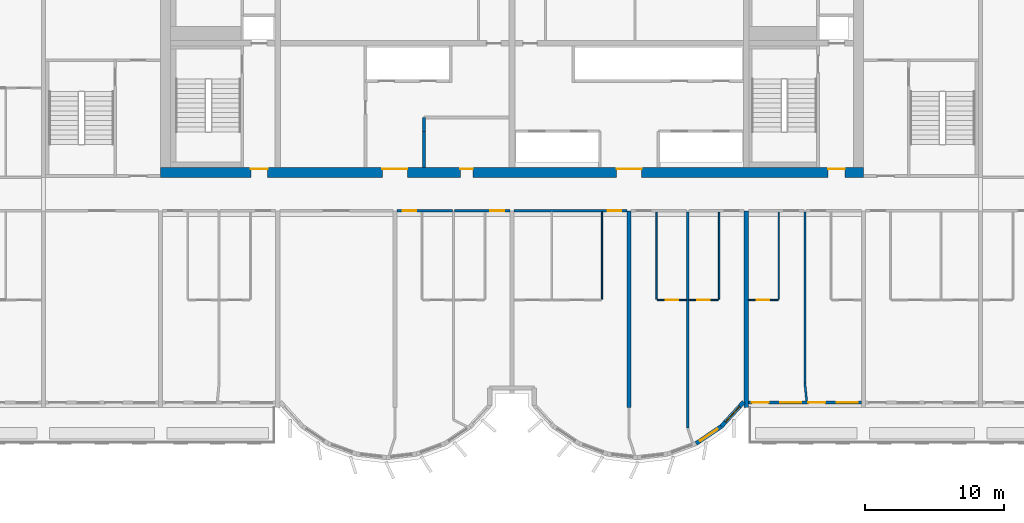
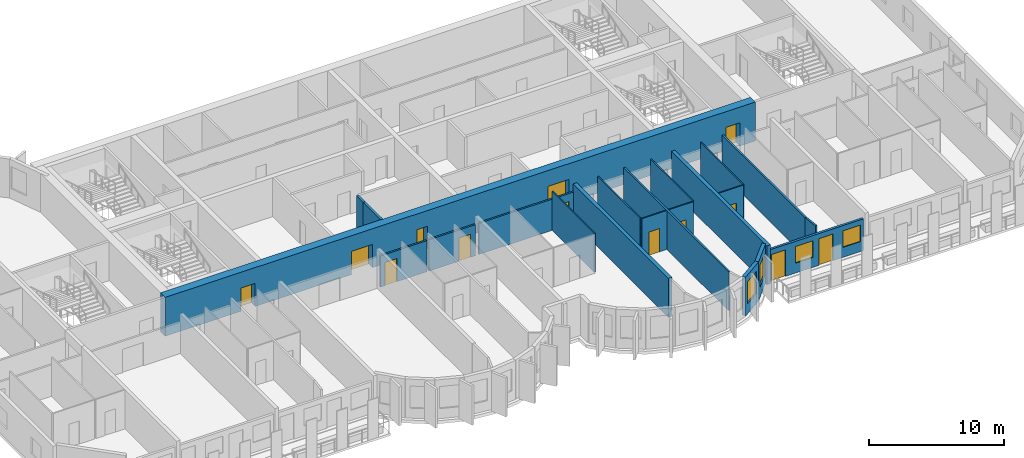
# One storey, part 5 of 13: 21 walls, 13 doors, 4 windows, 17 openings.
"""IFC4 building model written with IfcOpenShell, lengths in metres."""

from ifc_helpers import new_model, si_unit, direction, frame, frame_2d, origin, place, context, subcontext, project, spatial, rectangle, extrude, source, transform, mapped, material, layer, layer_set, type_object, element, fill, save


model = new_model("IFC4")

# Units and contexts
model_context = context("Model", 3, precision=1e-05, world=origin(), true_north=direction((0.0, 1.0)))
body_context = subcontext(model_context, "Body", "Model", "MODEL_VIEW")
ifc_project = project(units=[si_unit("LENGTHUNIT", "METRE"), si_unit("AREAUNIT", "SQUARE_METRE"), si_unit("VOLUMEUNIT", "CUBIC_METRE"), si_unit("PLANEANGLEUNIT", "RADIAN"), si_unit("MASSUNIT", "GRAM", prefix="KILO")], contexts=[model_context])

# Site, building, storey
site_placement = place(None, origin())
site = spatial("IfcSite", under=ifc_project, at=site_placement, CompositionType="ELEMENT")
building_placement = place(site_placement, origin())
building = spatial("IfcBuilding", under=site, at=building_placement, Name="Vanashikhar Sky Hotel", CompositionType="ELEMENT")
storey_placement = place(building_placement, frame((0.0, 0.0, 159.199951171875)))
storey = spatial("IfcBuildingStorey", under=building, at=storey_placement, Name="L38", CompositionType="ELEMENT", Elevation=159.199951171875)

# Wall, openings, doors
ifc_material_1 = material(Name="Concrete M60", Category="concrete")
ifc_layer_1 = layer(ifc_material_1, 0.699951171875)
ifc_layer_set_1 = layer_set([ifc_layer_1], Name="RC core shell wall 700 Concrete M60")
wall_type_1 = type_object("IfcWallType", Name="RC core shell wall 700 Concrete M60", PredefinedType="SHEAR", material=ifc_layer_set_1)
shared_shape_1 = source(origin(), body_context, "Body", "SweptSolid", [
    extrude(rectangle(XDim=50.400146484375, YDim=0.699951171875, at=frame_2d((25.2001953125, 0.0))), origin(), (0.0, 0.0, 1.0), 3.52001953125),
])
wall_1_placement = place(storey_placement, frame((25.199951171875, 22.35009765625, 0.0), z_axis=(0.0, 0.0, 1.0), x_axis=(1.0, 0.0, 0.0)))
wall_1 = element("IfcWall", 1, at=wall_1_placement, inside=storey, type_object=wall_type_1, Name="KW-L38-KS", PredefinedType="SHEAR", context=body_context, shape_type="MappedRepresentation", body=[
    mapped(shared_shape_1, transform((0.0, 0.0, 0.0), scale=1.0)),
])
shared_shape_2 = source(origin(), body_context, "Body", "SweptSolid", [
    extrude(rectangle(XDim=1.800048828125, YDim=2.10009765625, at=frame_2d((0.89990234375, 1.050048828125))), frame((0.0, 0.35986328125, 0.0), z_axis=(0.0, -1.0, 0.0), x_axis=(1.0, 0.0, 0.0)), (0.0, 0.0, 1.0), 0.719970703125),
])
opening_1_placement = place(wall_1_placement, frame((15.89990234375, 0.0, 0.0)))
opening_1 = element("IfcOpeningElement", 2, at=opening_1_placement, cuts=wall_1, Name="Opening DC-3-A", PredefinedType="OPENING", context=body_context, shape_type="MappedRepresentation", body=[
    mapped(shared_shape_2, transform((0.0, 0.0, 0.0), scale=1.0)),
])
shared_shape_3 = source(origin(), body_context, "Body", "SweptSolid", [
    extrude(rectangle(XDim=0.89990234375, YDim=2.10009765625, at=frame_2d((0.449951171875, 1.050048828125))), frame((0.0, 0.35986328125, 0.0), z_axis=(0.0, -1.0, 0.0), x_axis=(1.0, 0.0, 0.0)), (0.0, 0.0, 1.0), 0.719970703125),
])
opening_2_placement = place(wall_1_placement, frame((21.5, 0.0, 0.0)))
opening_2 = element("IfcOpeningElement", 3, at=opening_2_placement, cuts=wall_1, Name="Opening DC-4-A", PredefinedType="OPENING", context=body_context, shape_type="MappedRepresentation", body=[
    mapped(shared_shape_3, transform((0.0, 0.0, 0.0), scale=1.0)),
])
opening_3_placement = place(wall_1_placement, frame((32.699951171875, 0.0, 0.0)))
opening_3 = element("IfcOpeningElement", 4, at=opening_3_placement, cuts=wall_1, Name="Opening DC-3-A", PredefinedType="OPENING", context=body_context, shape_type="MappedRepresentation", body=[
    mapped(shared_shape_2, transform((0.0, 0.0, 0.0), scale=1.0)),
])
shared_shape_4 = source(origin(), body_context, "Body", "SweptSolid", [
    extrude(rectangle(XDim=1.199951171875, YDim=2.10009765625, at=frame_2d((0.60009765625, 1.050048828125))), frame((0.0, 0.35986328125, 0.0), z_axis=(0.0, -1.0, 0.0), x_axis=(1.0, 0.0, 0.0)), (0.0, 0.0, 1.0), 0.719970703125),
])
opening_4_placement = place(wall_1_placement, frame((6.47509765625, 0.0, 0.0)))
opening_4 = element("IfcOpeningElement", 5, at=opening_4_placement, cuts=wall_1, Name="Opening DC-2", PredefinedType="OPENING", context=body_context, shape_type="MappedRepresentation", body=[
    mapped(shared_shape_4, transform((0.0, 0.0, 0.0), scale=1.0)),
])
opening_5_placement = place(wall_1_placement, frame((47.875, 0.0, 0.0)))
opening_5 = element("IfcOpeningElement", 6, at=opening_5_placement, cuts=wall_1, Name="Opening DC-2", PredefinedType="OPENING", context=body_context, shape_type="MappedRepresentation", body=[
    mapped(shared_shape_4, transform((0.0, 0.0, 0.0), scale=1.0)),
])
ifc_material_2 = material(Name="Glass", Category="glass")
door_type_1 = type_object("IfcDoorType", Name="Lift lobby entrance door 1800 FD30S", OperationType="NOTDEFINED", PredefinedType="DOOR", material=ifc_material_2)
shared_shape_5 = source(origin(), body_context, "Body", "SweptSolid", [
    extrude(rectangle(XDim=1.800048828125, YDim=2.10009765625, at=frame_2d((0.89990234375, 1.050048828125))), frame((0.0, 0.27490234375, 0.0), z_axis=(0.0, -1.0, 0.0), x_axis=(1.0, 0.0, 0.0)), (0.0, 0.0, 1.0), 0.050048828125),
])
door_1_placement = place(opening_1_placement, origin())
door_1 = element("IfcDoor", 7, at=door_1_placement, inside=storey, type_object=door_type_1, Name="Lift lobby entrance door 1800 FD30S", OperationType="DOUBLE_DOOR_SINGLE_SWING", OverallHeight=2.10009765625, OverallWidth=1.800048828125, PredefinedType="DOOR", context=body_context, shape_type="MappedRepresentation", body=[
    mapped(shared_shape_5, transform((0.0, 0.0, 0.0), scale=1.0)),
])
fill(opening_1, door_1)
door_2_placement = place(opening_3_placement, origin())
door_2 = element("IfcDoor", 8, at=door_2_placement, inside=storey, type_object=door_type_1, Name="Lift lobby entrance door 1800 FD30S", OperationType="DOUBLE_DOOR_SINGLE_SWING", OverallHeight=2.10009765625, OverallWidth=1.800048828125, PredefinedType="DOOR", context=body_context, shape_type="MappedRepresentation", body=[
    mapped(shared_shape_5, transform((0.0, 0.0, 0.0), scale=1.0)),
])
fill(opening_3, door_2)
ifc_material_3 = material(Name="Steel", Category="steel")
door_type_2 = type_object("IfcDoorType", Name="Firefighting lobby door 1200 FD120", OperationType="NOTDEFINED", PredefinedType="DOOR", material=ifc_material_3)
shared_shape_6 = source(origin(), body_context, "Body", "SweptSolid", [
    extrude(rectangle(XDim=1.199951171875, YDim=2.10009765625, at=frame_2d((0.60009765625, 1.050048828125))), frame((0.0, 0.27490234375, 0.0), z_axis=(0.0, -1.0, 0.0), x_axis=(1.0, 0.0, 0.0)), (0.0, 0.0, 1.0), 0.050048828125),
])
door_3_placement = place(opening_4_placement, origin())
door_3 = element("IfcDoor", 9, at=door_3_placement, inside=storey, type_object=door_type_2, Name="Firefighting lobby door 1200 FD120", OperationType="SINGLE_SWING_RIGHT", OverallHeight=2.10009765625, OverallWidth=1.199951171875, PredefinedType="DOOR", context=body_context, shape_type="MappedRepresentation", body=[
    mapped(shared_shape_6, transform((0.0, 0.0, 0.0), scale=1.0)),
])
fill(opening_4, door_3)
door_4_placement = place(opening_5_placement, origin())
door_4 = element("IfcDoor", 10, at=door_4_placement, inside=storey, type_object=door_type_2, Name="Firefighting lobby door 1200 FD120", OperationType="SINGLE_SWING_RIGHT", OverallHeight=2.10009765625, OverallWidth=1.199951171875, PredefinedType="DOOR", context=body_context, shape_type="MappedRepresentation", body=[
    mapped(shared_shape_6, transform((0.0, 0.0, 0.0), scale=1.0)),
])
fill(opening_5, door_4)
door_type_3 = type_object("IfcDoorType", Name="Service door 900 FD60", OperationType="NOTDEFINED", PredefinedType="DOOR", material=ifc_material_3)
shared_shape_7 = source(origin(), body_context, "Body", "SweptSolid", [
    extrude(rectangle(XDim=0.89990234375, YDim=2.10009765625, at=frame_2d((0.449951171875, 1.050048828125))), frame((0.0, 0.27490234375, 0.0), z_axis=(0.0, -1.0, 0.0), x_axis=(1.0, 0.0, 0.0)), (0.0, 0.0, 1.0), 0.050048828125),
])
door_5_placement = place(opening_2_placement, origin())
door_5 = element("IfcDoor", 11, at=door_5_placement, inside=storey, type_object=door_type_3, Name="Service door 900 FD60", OperationType="SINGLE_SWING_RIGHT", OverallHeight=2.10009765625, OverallWidth=0.89990234375, PredefinedType="DOOR", context=body_context, shape_type="MappedRepresentation", body=[
    mapped(shared_shape_7, transform((0.0, 0.0, 0.0), scale=1.0)),
])
fill(opening_2, door_5)

# Walls
ifc_layer_2 = layer(ifc_material_1, 0.300048828125)
ifc_layer_set_2 = layer_set([ifc_layer_2], Name="RC shear wall 300 Concrete M60")
wall_type_2 = type_object("IfcWallType", Name="RC shear wall 300 Concrete M60", PredefinedType="SHEAR", material=ifc_layer_set_2)
shared_shape_8 = source(origin(), body_context, "Body", "SweptSolid", [
    extrude(rectangle(XDim=14.10009765625, YDim=0.300048828125, at=frame_2d((7.050048828125, 0.0))), origin(), (0.0, 0.0, 1.0), 3.52001953125),
])
for number, where, z_axis, x_axis, name in (
    (12, (58.800048828125, 5.5, 0.0), (0.0, 0.0, 1.0), (0.0, 1.0, 0.0), "CW-L38-XW08-1"),
    (13, (67.199951171875, 5.5, 0.0), (0.0, 0.0, 1.0), (0.0, 1.0, 0.0), "CW-L38-XW09-1"),
):
    element("IfcWall", number, at=place(storey_placement, frame(where, z_axis=z_axis, x_axis=x_axis)), inside=storey, type_object=wall_type_2, Name=name, PredefinedType="SHEAR", context=body_context, shape_type="MappedRepresentation", body=[
        mapped(shared_shape_8, transform((0.0, 0.0, 0.0), scale=1.0)),
    ])

# Wall, opening, window
ifc_material_4 = material(Name="Concrete M50", Category="concrete")
ifc_layer_3 = layer(ifc_material_4, 0.300048828125)
ifc_layer_set_3 = layer_set([ifc_layer_3], Name="Lobe wall 300")
wall_type_3 = type_object("IfcWallType", Name="Lobe wall 300", PredefinedType="SOLIDWALL", material=ifc_layer_set_3)
shared_shape_9 = source(origin(), body_context, "Body", "SweptSolid", [
    extrude(rectangle(XDim=2.398193359375, YDim=0.300048828125, at=frame_2d((1.19921875, 0.0))), origin(), (0.0, 0.0, 1.0), 3.52001953125),
])
wall_2_placement = place(storey_placement, frame((65.404296875, 4.13134765625, 0.0), z_axis=(0.0, 0.0, 1.0), x_axis=(0.675374189419, 0.737475222815, 0.0)))
wall_2 = element("IfcWall", 14, at=wall_2_placement, inside=storey, type_object=wall_type_3, Name="Lobe wall", PredefinedType="SOLIDWALL", context=body_context, shape_type="MappedRepresentation", body=[
    mapped(shared_shape_9, transform((0.0, 0.0, 0.0), scale=1.0)),
])
shared_shape_10 = source(origin(), body_context, "Body", "SweptSolid", [
    extrude(rectangle(XDim=1.5, YDim=2.0, at=frame_2d((0.75, 1.0))), frame((0.0, 0.16015625, 0.0), z_axis=(0.0, -1.0, 0.0), x_axis=(1.0, 0.0, 0.0)), (0.0, 0.0, 1.0), 0.320068359375),
])
opening_6_placement = place(wall_2_placement, frame((0.44921875, 0.0, 0.89990234375)))
opening_6 = element("IfcOpeningElement", 15, at=opening_6_placement, cuts=wall_2, Name="Opening WN-2", PredefinedType="OPENING", context=body_context, shape_type="MappedRepresentation", body=[
    mapped(shared_shape_10, transform((0.0, 0.0, 0.0), scale=1.0)),
])
window_type_1 = type_object("IfcWindowType", Name="Lobe window 1500 x 2000", PartitioningType="SINGLE_PANEL", PredefinedType="WINDOW", material=ifc_material_2)
shared_shape_11 = source(origin(), body_context, "Body", "SweptSolid", [
    extrude(rectangle(XDim=1.5, YDim=2.0, at=frame_2d((0.75, 1.0))), frame((0.0, 0.030029296875, 0.0), z_axis=(0.0, -1.0, 0.0), x_axis=(1.0, 0.0, 0.0)), (0.0, 0.0, 1.0), 0.06005859375),
])
window_1_placement = place(opening_6_placement, origin())
window_1 = element("IfcWindow", 16, at=window_1_placement, inside=storey, type_object=window_type_1, Name="Window WN-2", OverallHeight=2.0, OverallWidth=1.5, PartitioningType="SINGLE_PANEL", PredefinedType="WINDOW", context=body_context, shape_type="MappedRepresentation", body=[
    mapped(shared_shape_11, transform((0.0, 0.0, 0.0), scale=1.0)),
])
fill(opening_6, window_1)

shared_shape_12 = source(origin(), body_context, "Body", "SweptSolid", [
    extrude(rectangle(XDim=2.17578125, YDim=0.300048828125, at=frame_2d((1.087890625, 0.0))), origin(), (0.0, 0.0, 1.0), 3.52001953125),
])
wall_3_placement = place(storey_placement, frame((63.59912109375, 2.91650390625, 0.0), z_axis=(0.0, 0.0, 1.0), x_axis=(0.829625727223, 0.558319937607, 0.0)))
wall_3 = element("IfcWall", 17, at=wall_3_placement, inside=storey, type_object=wall_type_3, Name="Lobe wall", PredefinedType="SOLIDWALL", context=body_context, shape_type="MappedRepresentation", body=[
    mapped(shared_shape_12, transform((0.0, 0.0, 0.0), scale=1.0)),
])
opening_7_placement = place(wall_3_placement, frame((0.337890625, 0.0, 0.89990234375)))
opening_7 = element("IfcOpeningElement", 18, at=opening_7_placement, cuts=wall_3, Name="Opening WN-2", PredefinedType="OPENING", context=body_context, shape_type="MappedRepresentation", body=[
    mapped(shared_shape_10, transform((0.0, 0.0, 0.0), scale=1.0)),
])
window_2_placement = place(opening_7_placement, origin())
window_2 = element("IfcWindow", 19, at=window_2_placement, inside=storey, type_object=window_type_1, Name="Window WN-2", OverallHeight=2.0, OverallWidth=1.5, PartitioningType="SINGLE_PANEL", PredefinedType="WINDOW", context=body_context, shape_type="MappedRepresentation", body=[
    mapped(shared_shape_11, transform((0.0, 0.0, 0.0), scale=1.0)),
])
fill(opening_7, window_2)

# Wall, openings, windows, doors
ifc_layer_4 = layer(ifc_material_4, 0.199951171875)
ifc_layer_set_4 = layer_set([ifc_layer_4], Name="Front window wall 200")
wall_type_4 = type_object("IfcWallType", Name="Front window wall 200", PredefinedType="SOLIDWALL", material=ifc_layer_set_4)
shared_shape_13 = source(origin(), body_context, "Body", "SweptSolid", [
    extrude(rectangle(XDim=8.099853515625, YDim=0.199951171875, at=frame_2d((4.0498046875, 0.0))), origin(), (0.0, 0.0, 1.0), 2.8701171875),
])
wall_4_placement = place(storey_placement, frame((67.35009765625, 5.85009765625, 0.0), z_axis=(0.0, 0.0, 1.0), x_axis=(1.0, 0.0, 0.0)))
wall_4 = element("IfcWall", 20, at=wall_4_placement, inside=storey, type_object=wall_type_4, Name="Front window wall", PredefinedType="SOLIDWALL", context=body_context, shape_type="MappedRepresentation", body=[
    mapped(shared_shape_13, transform((0.0, 0.0, 0.0), scale=1.0)),
])
shared_shape_14 = source(origin(), body_context, "Body", "SweptSolid", [
    extrude(rectangle(XDim=1.199951171875, YDim=2.39990234375, at=frame_2d((0.60009765625, 1.199951171875))), frame((0.0, 0.10986328125, 0.0), z_axis=(0.0, -1.0, 0.0), x_axis=(1.0, 0.0, 0.0)), (0.0, 0.0, 1.0), 0.219970703125),
])
opening_8_placement = place(wall_4_placement, frame((0.25, 0.0, 0.0)))
opening_8 = element("IfcOpeningElement", 21, at=opening_8_placement, cuts=wall_4, Name="Opening BD-06", PredefinedType="OPENING", context=body_context, shape_type="MappedRepresentation", body=[
    mapped(shared_shape_14, transform((0.0, 0.0, 0.0), scale=1.0)),
])
shared_shape_15 = source(origin(), body_context, "Body", "SweptSolid", [
    extrude(rectangle(XDim=1.5, YDim=1.5, at=frame_2d((0.75, 0.75))), frame((0.0, 0.10986328125, 0.0), z_axis=(0.0, -1.0, 0.0), x_axis=(1.0, 0.0, 0.0)), (0.0, 0.0, 1.0), 0.219970703125),
])
opening_9_placement = place(wall_4_placement, frame((2.300048828125, 0.0, 0.89990234375)))
opening_9 = element("IfcOpeningElement", 22, at=opening_9_placement, cuts=wall_4, Name="Opening WN-1", PredefinedType="OPENING", context=body_context, shape_type="MappedRepresentation", body=[
    mapped(shared_shape_15, transform((0.0, 0.0, 0.0), scale=1.0)),
])
opening_10_placement = place(wall_4_placement, frame((4.300048828125, 0.0, 0.0)))
opening_10 = element("IfcOpeningElement", 23, at=opening_10_placement, cuts=wall_4, Name="Opening BD-07", PredefinedType="OPENING", context=body_context, shape_type="MappedRepresentation", body=[
    mapped(shared_shape_14, transform((0.0, 0.0, 0.0), scale=1.0)),
])
opening_11_placement = place(wall_4_placement, frame((6.35009765625, 0.0, 0.89990234375)))
opening_11 = element("IfcOpeningElement", 24, at=opening_11_placement, cuts=wall_4, Name="Opening WN-1", PredefinedType="OPENING", context=body_context, shape_type="MappedRepresentation", body=[
    mapped(shared_shape_15, transform((0.0, 0.0, 0.0), scale=1.0)),
])
window_type_2 = type_object("IfcWindowType", Name="Window 1500 x 1500", PartitioningType="SINGLE_PANEL", PredefinedType="WINDOW", material=ifc_material_2)
shared_shape_16 = source(origin(), body_context, "Body", "SweptSolid", [
    extrude(rectangle(XDim=1.5, YDim=1.5, at=frame_2d((0.75, 0.75))), frame((0.0, 0.030029296875, 0.0), z_axis=(0.0, -1.0, 0.0), x_axis=(1.0, 0.0, 0.0)), (0.0, 0.0, 1.0), 0.06005859375),
])
window_3_placement = place(opening_9_placement, origin())
window_3 = element("IfcWindow", 25, at=window_3_placement, inside=storey, type_object=window_type_2, Name="Window WN-1", OverallHeight=1.5, OverallWidth=1.5, PartitioningType="SINGLE_PANEL", PredefinedType="WINDOW", context=body_context, shape_type="MappedRepresentation", body=[
    mapped(shared_shape_16, transform((0.0, 0.0, 0.0), scale=1.0)),
])
fill(opening_9, window_3)
window_4_placement = place(opening_11_placement, origin())
window_4 = element("IfcWindow", 26, at=window_4_placement, inside=storey, type_object=window_type_2, Name="Window WN-1", OverallHeight=1.5, OverallWidth=1.5, PartitioningType="SINGLE_PANEL", PredefinedType="WINDOW", context=body_context, shape_type="MappedRepresentation", body=[
    mapped(shared_shape_16, transform((0.0, 0.0, 0.0), scale=1.0)),
])
fill(opening_11, window_4)
ifc_material_5 = material(Name="Aluminium", Category="aluminium")
door_type_4 = type_object("IfcDoorType", Name="Balcony sliding door 1200 x 2400", OperationType="NOTDEFINED", PredefinedType="DOOR", material=ifc_material_5)
shared_shape_17 = source(origin(), body_context, "Body", "SweptSolid", [
    extrude(rectangle(XDim=1.199951171875, YDim=2.39990234375, at=frame_2d((0.60009765625, 1.199951171875))), frame((0.0, 0.02490234375, 0.0), z_axis=(0.0, -1.0, 0.0), x_axis=(1.0, 0.0, 0.0)), (0.0, 0.0, 1.0), 0.050048828125),
])
door_6_placement = place(opening_8_placement, origin())
door_6 = element("IfcDoor", 27, at=door_6_placement, inside=storey, type_object=door_type_4, Name="Balcony sliding door", OperationType="SLIDING_TO_RIGHT", OverallHeight=2.39990234375, OverallWidth=1.199951171875, PredefinedType="DOOR", context=body_context, shape_type="MappedRepresentation", body=[
    mapped(shared_shape_17, transform((0.0, 0.0, 0.0), scale=1.0)),
])
fill(opening_8, door_6)
door_7_placement = place(opening_10_placement, origin())
door_7 = element("IfcDoor", 28, at=door_7_placement, inside=storey, type_object=door_type_4, Name="Balcony sliding door", OperationType="SLIDING_TO_LEFT", OverallHeight=2.39990234375, OverallWidth=1.199951171875, PredefinedType="DOOR", context=body_context, shape_type="MappedRepresentation", body=[
    mapped(shared_shape_17, transform((0.0, 0.0, 0.0), scale=1.0)),
])
fill(opening_10, door_7)

# Walls
ifc_material_6 = material(Name="Gypsum board partition")
ifc_layer_5 = layer(ifc_material_6, 0.14990234375)
ifc_layer_set_5 = layer_set([ifc_layer_5], Name="Service partition 150")
wall_type_5 = type_object("IfcWallType", Name="Service partition 150", PredefinedType="PARTITIONING", material=ifc_layer_set_5)
shared_shape_18 = source(origin(), body_context, "Body", "SweptSolid", [
    extrude(rectangle(XDim=2.60009765625, YDim=0.199951171875, at=frame_2d((1.300048828125, 0.0))), origin(), (0.0, 0.0, 1.0), 3.52001953125),
])
wall_5_placement = place(storey_placement, frame((44.10009765625, 22.699951171875, 0.0), z_axis=(0.0, 0.0, 1.0), x_axis=(0.0, 1.0, 0.0)))
element("IfcWall", 29, at=wall_5_placement, inside=storey, type_object=wall_type_5, Name="Service partition 150", PredefinedType="PARTITIONING", context=body_context, shape_type="MappedRepresentation", body=[
    mapped(shared_shape_18, transform((0.0, 0.0, 0.0), scale=1.0)),
])
shared_shape_19 = source(origin(), body_context, "Body", "SweptSolid", [
    extrude(rectangle(XDim=1.0, YDim=0.199951171875, at=frame_2d((0.5, 0.0))), origin(), (0.0, 0.0, 1.0), 3.52001953125),
])
wall_6_placement = place(storey_placement, frame((44.10009765625, 25.300048828125, 0.0), z_axis=(0.0, 0.0, 1.0), x_axis=(0.0, 1.0, 0.0)))
element("IfcWall", 30, at=wall_6_placement, inside=storey, type_object=wall_type_5, Name="Service partition 150", PredefinedType="PARTITIONING", context=body_context, shape_type="MappedRepresentation", body=[
    mapped(shared_shape_19, transform((0.0, 0.0, 0.0), scale=1.0)),
])
ifc_material_7 = material(Name="Gypsum plasterboard partition")
ifc_layer_6 = layer(ifc_material_7, 0.10009765625)
ifc_layer_set_6 = layer_set([ifc_layer_6], Name="Wet room partition 100")
wall_type_6 = type_object("IfcWallType", Name="Wet room partition 100", PredefinedType="PARTITIONING", material=ifc_layer_set_6)
shared_shape_20 = source(origin(), body_context, "Body", "SweptSolid", [
    extrude(rectangle(XDim=6.25, YDim=0.10009765625, at=frame_2d((3.125, 0.0))), origin(), (0.0, 0.0, 1.0), 3.52001953125),
])
for number, where, z_axis, x_axis, name in (
    (31, (56.85009765625, 13.27490234375, 0.0), (0.0, 0.0, 1.0), (0.0, 1.0, 0.0), "W-L38-PW022"),
    (32, (60.75, 13.27490234375, 0.0), (0.0, 0.0, 1.0), (0.0, 1.0, 0.0), "W-L38-PW027"),
    (33, (65.25, 13.27490234375, 0.0), (0.0, 0.0, 1.0), (0.0, 1.0, 0.0), "W-L38-PW030"),
    (34, (69.52490234375, 13.27490234375, 0.0), (0.0, 0.0, 1.0), (0.0, 1.0, 0.0), "W-L38-PW034"),
):
    element("IfcWall", number, at=place(storey_placement, frame(where, z_axis=z_axis, x_axis=x_axis)), inside=storey, type_object=wall_type_6, Name=name, PredefinedType="PARTITIONING", context=body_context, shape_type="MappedRepresentation", body=[
        mapped(shared_shape_20, transform((0.0, 0.0, 0.0), scale=1.0)),
    ])
ifc_layer_7 = layer(ifc_material_7, 0.14990234375)
ifc_layer_set_7 = layer_set([ifc_layer_7], Name="Corridor and demising partition 150")
wall_type_7 = type_object("IfcWallType", Name="Corridor and demising partition 150", PredefinedType="PARTITIONING", material=ifc_layer_set_7)
shared_shape_21 = source(origin(), body_context, "Body", "SweptSolid", [
    extrude(rectangle(XDim=12.27490234375, YDim=0.14990234375, at=frame_2d((6.137451171875, 0.0))), origin(), (0.0, 0.0, 1.0), 3.52001953125),
])
wall_7_placement = place(storey_placement, frame((71.39990234375, 7.25, 0.0), z_axis=(0.0, 0.0, 1.0), x_axis=(0.0, 1.0, 0.0)))
element("IfcWall", 35, at=wall_7_placement, inside=storey, type_object=wall_type_7, Name="W-L38-PW040", PredefinedType="PARTITIONING", context=body_context, shape_type="MappedRepresentation", body=[
    mapped(shared_shape_21, transform((0.0, 0.0, 0.0), scale=1.0)),
])
shared_shape_22 = source(origin(), body_context, "Body", "SweptSolid", [
    extrude(rectangle(XDim=15.497802734375, YDim=0.14990234375, at=frame_2d((7.7490234375, 0.0))), origin(), (0.0, 0.0, 1.0), 3.52001953125),
])
wall_8_placement = place(storey_placement, frame((63.0, 4.027099609375, 0.0), z_axis=(0.0, 0.0, 1.0), x_axis=(0.0, 1.0, 0.0)))
element("IfcWall", 36, at=wall_8_placement, inside=storey, type_object=wall_type_7, Name="W-L38-PW033", PredefinedType="PARTITIONING", context=body_context, shape_type="MappedRepresentation", body=[
    mapped(shared_shape_22, transform((0.0, 0.0, 0.0), scale=1.0)),
])
shared_shape_23 = source(origin(), body_context, "Body", "SweptSolid", [
    extrude(rectangle(XDim=1.306640625, YDim=0.14990234375, at=frame_2d((0.6533203125, 0.0))), origin(), (0.0, 0.0, 1.0), 3.52001953125),
])
wall_9_placement = place(storey_placement, frame((71.530029296875, 5.949951171875, 0.0), z_axis=(0.0, 0.0, 1.0), x_axis=(-0.099596223396, 0.99502793543, 0.0)))
element("IfcWall", 37, at=wall_9_placement, inside=storey, type_object=wall_type_7, Name="W-L38-PW040B0", PredefinedType="PARTITIONING", context=body_context, shape_type="MappedRepresentation", body=[
    mapped(shared_shape_23, transform((0.0, 0.0, 0.0), scale=1.0)),
])

# Wall, opening, door
shared_shape_24 = source(origin(), body_context, "Body", "SweptSolid", [
    extrude(rectangle(XDim=2.125, YDim=0.10009765625, at=frame_2d((1.0625, 0.0))), origin(), (0.0, 0.0, 1.0), 3.52001953125),
])
wall_10_placement = place(storey_placement, frame((60.800048828125, 13.199951171875, 0.0), z_axis=(0.0, 0.0, 1.0), x_axis=(1.0, 0.0, 0.0)))
wall_10 = element("IfcWall", 38, at=wall_10_placement, inside=storey, type_object=wall_type_6, Name="W-L38-PW028", PredefinedType="PARTITIONING", context=body_context, shape_type="MappedRepresentation", body=[
    mapped(shared_shape_24, transform((0.0, 0.0, 0.0), scale=1.0)),
])
shared_shape_25 = source(origin(), body_context, "Body", "SweptSolid", [
    extrude(rectangle(XDim=0.89990234375, YDim=2.10009765625, at=frame_2d((0.449951171875, 1.050048828125))), frame((0.0, 0.06005859375, 0.0), z_axis=(0.0, -1.0, 0.0), x_axis=(1.0, 0.0, 0.0)), (0.0, 0.0, 1.0), 0.1201171875),
])
opening_12_placement = place(wall_10_placement, frame((0.612060546875, 0.0, 0.0)))
opening_12 = element("IfcOpeningElement", 39, at=opening_12_placement, cuts=wall_10, Name="Opening D-02", PredefinedType="OPENING", context=body_context, shape_type="MappedRepresentation", body=[
    mapped(shared_shape_25, transform((0.0, 0.0, 0.0), scale=1.0)),
])
ifc_material_8 = material(Name="Timber door", Category="wood")
door_type_5 = type_object("IfcDoorType", Name="Internal door 900", OperationType="NOTDEFINED", PredefinedType="DOOR", material=ifc_material_8)
shared_shape_26 = source(origin(), body_context, "Body", "SweptSolid", [
    extrude(rectangle(XDim=0.89990234375, YDim=2.10009765625, at=frame_2d((0.449951171875, 1.050048828125))), frame((0.0, 0.02490234375, 0.0), z_axis=(0.0, -1.0, 0.0), x_axis=(1.0, 0.0, 0.0)), (0.0, 0.0, 1.0), 0.050048828125),
])
door_8_placement = place(opening_12_placement, origin())
door_8 = element("IfcDoor", 40, at=door_8_placement, inside=storey, type_object=door_type_5, Name="D-L38-017", OperationType="SINGLE_SWING_LEFT", OverallHeight=2.10009765625, OverallWidth=0.89990234375, PredefinedType="DOOR", context=body_context, shape_type="MappedRepresentation", body=[
    mapped(shared_shape_26, transform((0.0, 0.0, 0.0), scale=1.0)),
])
fill(opening_12, door_8)

wall_11_placement = place(storey_placement, frame((63.074951171875, 13.199951171875, 0.0), z_axis=(0.0, 0.0, 1.0), x_axis=(1.0, 0.0, 0.0)))
wall_11 = element("IfcWall", 41, at=wall_11_placement, inside=storey, type_object=wall_type_6, Name="W-L38-PW031", PredefinedType="PARTITIONING", context=body_context, shape_type="MappedRepresentation", body=[
    mapped(shared_shape_24, transform((0.0, 0.0, 0.0), scale=1.0)),
])
opening_13_placement = place(wall_11_placement, frame((0.612060546875, 0.0, 0.0)))
opening_13 = element("IfcOpeningElement", 42, at=opening_13_placement, cuts=wall_11, Name="Opening D-02", PredefinedType="OPENING", context=body_context, shape_type="MappedRepresentation", body=[
    mapped(shared_shape_25, transform((0.0, 0.0, 0.0), scale=1.0)),
])
door_9_placement = place(opening_13_placement, origin())
door_9 = element("IfcDoor", 43, at=door_9_placement, inside=storey, type_object=door_type_5, Name="D-L38-019", OperationType="SINGLE_SWING_RIGHT", OverallHeight=2.10009765625, OverallWidth=0.89990234375, PredefinedType="DOOR", context=body_context, shape_type="MappedRepresentation", body=[
    mapped(shared_shape_26, transform((0.0, 0.0, 0.0), scale=1.0)),
])
fill(opening_13, door_9)

wall_12_placement = place(storey_placement, frame((67.35009765625, 13.199951171875, 0.0), z_axis=(0.0, 0.0, 1.0), x_axis=(1.0, 0.0, 0.0)))
wall_12 = element("IfcWall", 44, at=wall_12_placement, inside=storey, type_object=wall_type_6, Name="W-L38-PW035", PredefinedType="PARTITIONING", context=body_context, shape_type="MappedRepresentation", body=[
    mapped(shared_shape_24, transform((0.0, 0.0, 0.0), scale=1.0)),
])
opening_14_placement = place(wall_12_placement, frame((0.612060546875, 0.0, 0.0)))
opening_14 = element("IfcOpeningElement", 45, at=opening_14_placement, cuts=wall_12, Name="Opening D-02", PredefinedType="OPENING", context=body_context, shape_type="MappedRepresentation", body=[
    mapped(shared_shape_25, transform((0.0, 0.0, 0.0), scale=1.0)),
])
door_10_placement = place(opening_14_placement, origin())
door_10 = element("IfcDoor", 46, at=door_10_placement, inside=storey, type_object=door_type_5, Name="D-L38-021", OperationType="SINGLE_SWING_RIGHT", OverallHeight=2.10009765625, OverallWidth=0.89990234375, PredefinedType="DOOR", context=body_context, shape_type="MappedRepresentation", body=[
    mapped(shared_shape_26, transform((0.0, 0.0, 0.0), scale=1.0)),
])
fill(opening_14, door_10)

shared_shape_27 = source(origin(), body_context, "Body", "SweptSolid", [
    extrude(rectangle(XDim=3.97509765625, YDim=0.14990234375, at=frame_2d((1.987548828125, 0.0))), origin(), (0.0, 0.0, 1.0), 2.820068359375),
])
wall_13_placement = place(storey_placement, frame((42.14990234375, 19.60009765625, 0.0), z_axis=(0.0, 0.0, 1.0), x_axis=(1.0, 0.0, 0.0)))
wall_13 = element("IfcWall", 47, at=wall_13_placement, inside=storey, type_object=wall_type_7, Name="W-L38-PW017", PredefinedType="PARTITIONING", context=body_context, shape_type="MappedRepresentation", body=[
    mapped(shared_shape_27, transform((0.0, 0.0, 0.0), scale=1.0)),
])
shared_shape_28 = source(origin(), body_context, "Body", "SweptSolid", [
    extrude(rectangle(XDim=1.0, YDim=2.10009765625, at=frame_2d((0.5, 1.050048828125))), frame((0.0, 0.0849609375, 0.0), z_axis=(0.0, -1.0, 0.0), x_axis=(1.0, 0.0, 0.0)), (0.0, 0.0, 1.0), 0.169921875),
])
opening_15_placement = place(wall_13_placement, frame((0.39990234375, 0.0, 0.0)))
opening_15 = element("IfcOpeningElement", 48, at=opening_15_placement, cuts=wall_13, Name="Opening D-01", PredefinedType="OPENING", context=body_context, shape_type="MappedRepresentation", body=[
    mapped(shared_shape_28, transform((0.0, 0.0, 0.0), scale=1.0)),
])
ifc_material_9 = material(Name="Timber fire door", Category="wood")
door_type_6 = type_object("IfcDoorType", Name="Guest entry door 1000 FD30S", OperationType="NOTDEFINED", PredefinedType="DOOR", material=ifc_material_9)
shared_shape_29 = source(origin(), body_context, "Body", "SweptSolid", [
    extrude(rectangle(XDim=1.0, YDim=2.10009765625, at=frame_2d((0.5, 1.050048828125))), frame((0.0, 0.02490234375, 0.0), z_axis=(0.0, -1.0, 0.0), x_axis=(1.0, 0.0, 0.0)), (0.0, 0.0, 1.0), 0.050048828125),
])
door_11_placement = place(opening_15_placement, origin())
door_11 = element("IfcDoor", 49, at=door_11_placement, inside=storey, type_object=door_type_6, Name="D-L38-011", OperationType="SINGLE_SWING_LEFT", OverallHeight=2.10009765625, OverallWidth=1.0, PredefinedType="DOOR", context=body_context, shape_type="MappedRepresentation", body=[
    mapped(shared_shape_29, transform((0.0, 0.0, 0.0), scale=1.0)),
])
fill(opening_15, door_11)

wall_14_placement = place(storey_placement, frame((46.27490234375, 19.60009765625, 0.0), z_axis=(0.0, 0.0, 1.0), x_axis=(1.0, 0.0, 0.0)))
wall_14 = element("IfcWall", 50, at=wall_14_placement, inside=storey, type_object=wall_type_7, Name="W-L38-PW020", PredefinedType="PARTITIONING", context=body_context, shape_type="MappedRepresentation", body=[
    mapped(shared_shape_27, transform((0.0, 0.0, 0.0), scale=1.0)),
])
opening_16_placement = place(wall_14_placement, frame((2.574951171875, 0.0, 0.0)))
opening_16 = element("IfcOpeningElement", 51, at=opening_16_placement, cuts=wall_14, Name="Opening D-01", PredefinedType="OPENING", context=body_context, shape_type="MappedRepresentation", body=[
    mapped(shared_shape_28, transform((0.0, 0.0, 0.0), scale=1.0)),
])
door_12_placement = place(opening_16_placement, origin())
door_12 = element("IfcDoor", 52, at=door_12_placement, inside=storey, type_object=door_type_6, Name="D-L38-013", OperationType="SINGLE_SWING_RIGHT", OverallHeight=2.10009765625, OverallWidth=1.0, PredefinedType="DOOR", context=body_context, shape_type="MappedRepresentation", body=[
    mapped(shared_shape_29, transform((0.0, 0.0, 0.0), scale=1.0)),
])
fill(opening_16, door_12)

shared_shape_30 = source(origin(), body_context, "Body", "SweptSolid", [
    extrude(rectangle(XDim=8.099853515625, YDim=0.14990234375, at=frame_2d((4.0498046875, 0.0))), origin(), (0.0, 0.0, 1.0), 2.820068359375),
])
wall_15_placement = place(storey_placement, frame((50.550048828125, 19.60009765625, 0.0), z_axis=(0.0, 0.0, 1.0), x_axis=(1.0, 0.0, 0.0)))
wall_15 = element("IfcWall", 53, at=wall_15_placement, inside=storey, type_object=wall_type_7, Name="W-L38-PW026", PredefinedType="PARTITIONING", context=body_context, shape_type="MappedRepresentation", body=[
    mapped(shared_shape_30, transform((0.0, 0.0, 0.0), scale=1.0)),
])
opening_17_placement = place(wall_15_placement, frame((6.699951171875, 0.0, 0.0)))
opening_17 = element("IfcOpeningElement", 54, at=opening_17_placement, cuts=wall_15, Name="Opening D-01", PredefinedType="OPENING", context=body_context, shape_type="MappedRepresentation", body=[
    mapped(shared_shape_28, transform((0.0, 0.0, 0.0), scale=1.0)),
])
door_13_placement = place(opening_17_placement, origin())
door_13 = element("IfcDoor", 55, at=door_13_placement, inside=storey, type_object=door_type_6, Name="D-L38-016", OperationType="SINGLE_SWING_RIGHT", OverallHeight=2.10009765625, OverallWidth=1.0, PredefinedType="DOOR", context=body_context, shape_type="MappedRepresentation", body=[
    mapped(shared_shape_29, transform((0.0, 0.0, 0.0), scale=1.0)),
])
fill(opening_17, door_13)

save(model, "model.ifc")
